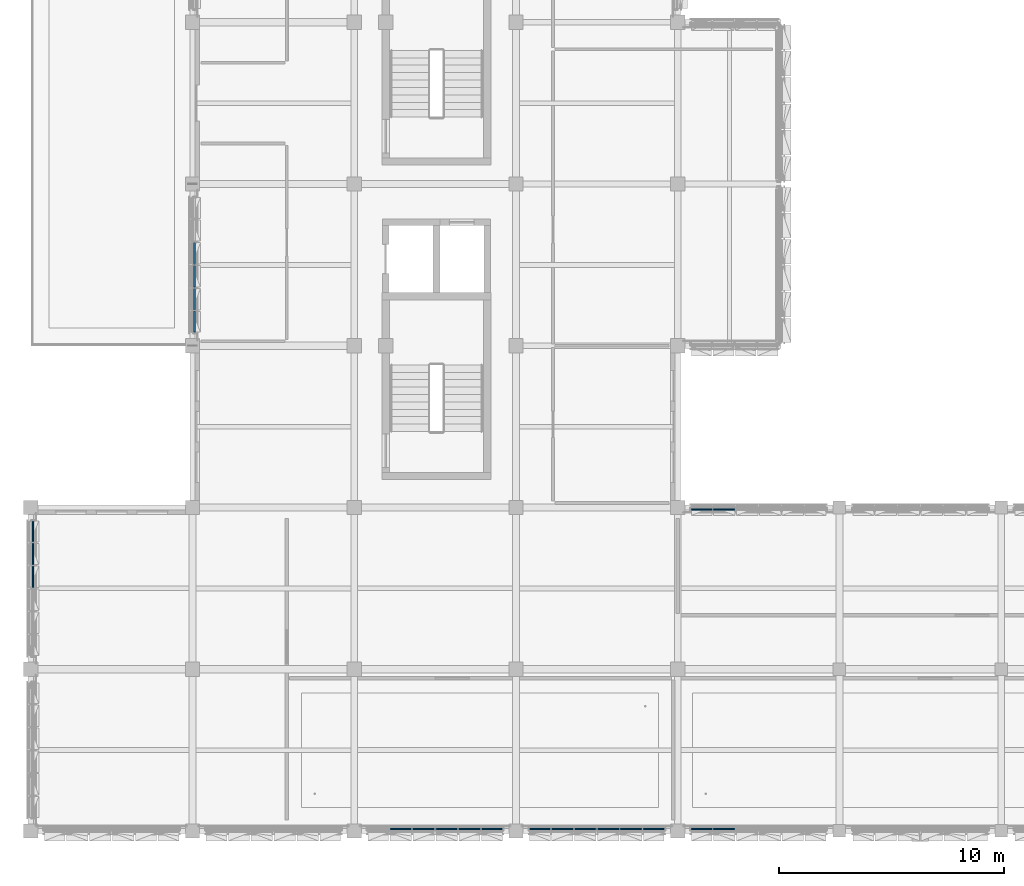
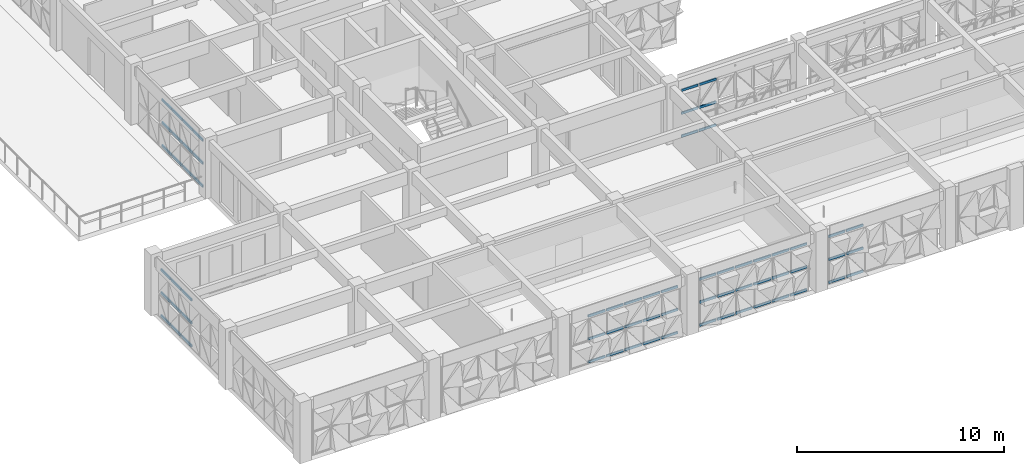
# One storey, part 20 of 85: 66 members, 6 elements without a shape of their own.
"""IFC4 building model written with IfcOpenShell, lengths in metres."""

from ifc_helpers import new_model, si_unit, direction, frame, origin, origin_2d, place, context, subcontext, project, spatial, rectangle, extrude, material, material_profile, profile_set, type_object, element, aggregate, save


model = new_model("IFC4")

# Units and contexts
model_context = context("Model", 3, precision=1e-05, world=origin(), true_north=direction((0.0, 1.0)))
body_context = subcontext(model_context, "Body", "Model", "MODEL_VIEW")
ifc_project = project(units=[si_unit("LENGTHUNIT", "METRE"), si_unit("AREAUNIT", "SQUARE_METRE"), si_unit("VOLUMEUNIT", "CUBIC_METRE"), si_unit("PLANEANGLEUNIT", "RADIAN"), si_unit("MASSUNIT", "GRAM", prefix="KILO")], contexts=[model_context])

# Site, building, storey
site_placement = place(None, origin())
site = spatial("IfcSite", under=ifc_project, at=site_placement, CompositionType="ELEMENT")
building_placement = place(site_placement, origin())
building = spatial("IfcBuilding", under=site, at=building_placement, Name="Alvorim Cloister Faculty of Sciences", CompositionType="ELEMENT")
storey_placement = place(building_placement, frame((0.0, 0.0, 8.550048828125)))
storey = spatial("IfcBuildingStorey", under=building, at=storey_placement, Name="L02", CompositionType="ELEMENT", Elevation=8.550048828125)

# Curtain wall, members
ifc_material_1 = material(Name="Aluminium and Low-E Glass Curtain Wall", Category="aluminium")
curtain_wall_type = type_object("IfcCurtainWallType", Name="CW-TRI-6120x2850", PredefinedType="USERDEFINED", material=ifc_material_1)
curtain_wall_1_placement = place(storey_placement, origin())
curtain_wall_1 = element("IfcCurtainWall", 1, at=curtain_wall_1_placement, inside=storey, type_object=curtain_wall_type, Name="L02 Diagonal Cassette Curtain Wall CW-0051", ObjectType="UNITISED CURTAIN WALL", PredefinedType="USERDEFINED")
ifc_material_2 = material(Name="Aluminium Alloy 6063-T6", Category="aluminium")
ifc_material_profile = material_profile(ifc_material_2, rectangle(XDim=0.06494140625, YDim=0.139892578125, at=origin_2d()), Name="ALU-TRN-65x140")
ifc_profile_set = profile_set([ifc_material_profile], Name="Aluminium Alloy 6063-T6")
member_type = type_object("IfcMemberType", Name="CW-TRN-65x140", PredefinedType="USERDEFINED", material=ifc_profile_set)
member_1_placement = place(storey_placement, frame((7.2900390625, 22.205078125, 0.070068359375), z_axis=(0.0, 1.0, 0.0), x_axis=(-1.0, 0.0, 0.0)))
member_1 = element("IfcMember", 2, at=member_1_placement, type_object=member_type, Name="CW-0051 Transom 1.1", ObjectType="TRANSOM", PredefinedType="USERDEFINED", context=body_context, shape_type="SweptSolid", body=[
    extrude(rectangle(XDim=0.06494140625, YDim=0.139892578125, at=origin_2d()), origin(), (0.0, 0.0, 1.0), 0.92236328125),
])
member_2_placement = place(storey_placement, frame((7.2900390625, 22.205078125, 1.425048828125), z_axis=(0.0, 1.0, 0.0), x_axis=(-1.0, 0.0, 0.0)))
member_2 = element("IfcMember", 3, at=member_2_placement, type_object=member_type, Name="CW-0051 Transom 1.2", ObjectType="TRANSOM", PredefinedType="USERDEFINED", context=body_context, shape_type="SweptSolid", body=[
    extrude(rectangle(XDim=0.06494140625, YDim=0.139892578125, at=origin_2d()), origin(), (0.0, 0.0, 1.0), 0.92236328125),
])
member_3_placement = place(storey_placement, frame((7.2900390625, 22.205078125, 2.780029296875), z_axis=(0.0, 1.0, 0.0), x_axis=(-1.0, 0.0, 0.0)))
member_3 = element("IfcMember", 4, at=member_3_placement, type_object=member_type, Name="CW-0051 Transom 1.3", ObjectType="TRANSOM", PredefinedType="USERDEFINED", context=body_context, shape_type="SweptSolid", body=[
    extrude(rectangle(XDim=0.06494140625, YDim=0.139892578125, at=origin_2d()), origin(), (0.0, 0.0, 1.0), 0.92236328125),
])
member_4_placement = place(storey_placement, frame((7.2900390625, 23.1923828125, 0.070068359375), z_axis=(0.0, 1.0, 0.0), x_axis=(-1.0, 0.0, 0.0)))
member_4 = element("IfcMember", 5, at=member_4_placement, type_object=member_type, Name="CW-0051 Transom 2.1", ObjectType="TRANSOM", PredefinedType="USERDEFINED", context=body_context, shape_type="SweptSolid", body=[
    extrude(rectangle(XDim=0.06494140625, YDim=0.139892578125, at=origin_2d()), origin(), (0.0, 0.0, 1.0), 0.955078125),
])
member_5_placement = place(storey_placement, frame((7.2900390625, 23.1923828125, 1.425048828125), z_axis=(0.0, 1.0, 0.0), x_axis=(-1.0, 0.0, 0.0)))
member_5 = element("IfcMember", 6, at=member_5_placement, type_object=member_type, Name="CW-0051 Transom 2.2", ObjectType="TRANSOM", PredefinedType="USERDEFINED", context=body_context, shape_type="SweptSolid", body=[
    extrude(rectangle(XDim=0.06494140625, YDim=0.139892578125, at=origin_2d()), origin(), (0.0, 0.0, 1.0), 0.955078125),
])
member_6_placement = place(storey_placement, frame((7.2900390625, 23.1923828125, 2.780029296875), z_axis=(0.0, 1.0, 0.0), x_axis=(-1.0, 0.0, 0.0)))
member_6 = element("IfcMember", 7, at=member_6_placement, type_object=member_type, Name="CW-0051 Transom 2.3", ObjectType="TRANSOM", PredefinedType="USERDEFINED", context=body_context, shape_type="SweptSolid", body=[
    extrude(rectangle(XDim=0.06494140625, YDim=0.139892578125, at=origin_2d()), origin(), (0.0, 0.0, 1.0), 0.955078125),
])
member_7_placement = place(storey_placement, frame((7.2900390625, 24.21240234375, 0.070068359375), z_axis=(0.0, 1.0, 0.0), x_axis=(-1.0, 0.0, 0.0)))
member_7 = element("IfcMember", 8, at=member_7_placement, type_object=member_type, Name="CW-0051 Transom 3.1", ObjectType="TRANSOM", PredefinedType="USERDEFINED", context=body_context, shape_type="SweptSolid", body=[
    extrude(rectangle(XDim=0.06494140625, YDim=0.139892578125, at=origin_2d()), origin(), (0.0, 0.0, 1.0), 0.955078125),
])
member_8_placement = place(storey_placement, frame((7.2900390625, 24.21240234375, 1.425048828125), z_axis=(0.0, 1.0, 0.0), x_axis=(-1.0, 0.0, 0.0)))
member_8 = element("IfcMember", 9, at=member_8_placement, type_object=member_type, Name="CW-0051 Transom 3.2", ObjectType="TRANSOM", PredefinedType="USERDEFINED", context=body_context, shape_type="SweptSolid", body=[
    extrude(rectangle(XDim=0.06494140625, YDim=0.139892578125, at=origin_2d()), origin(), (0.0, 0.0, 1.0), 0.955078125),
])
member_9_placement = place(storey_placement, frame((7.2900390625, 24.21240234375, 2.780029296875), z_axis=(0.0, 1.0, 0.0), x_axis=(-1.0, 0.0, 0.0)))
member_9 = element("IfcMember", 10, at=member_9_placement, type_object=member_type, Name="CW-0051 Transom 3.3", ObjectType="TRANSOM", PredefinedType="USERDEFINED", context=body_context, shape_type="SweptSolid", body=[
    extrude(rectangle(XDim=0.06494140625, YDim=0.139892578125, at=origin_2d()), origin(), (0.0, 0.0, 1.0), 0.955078125),
])
member_10_placement = place(storey_placement, frame((7.2900390625, 25.232421875, 0.070068359375), z_axis=(0.0, 1.0, 0.0), x_axis=(-1.0, 0.0, 0.0)))
member_10 = element("IfcMember", 11, at=member_10_placement, type_object=member_type, Name="CW-0051 Transom 4.1", ObjectType="TRANSOM", PredefinedType="USERDEFINED", context=body_context, shape_type="SweptSolid", body=[
    extrude(rectangle(XDim=0.06494140625, YDim=0.139892578125, at=origin_2d()), origin(), (0.0, 0.0, 1.0), 0.955078125),
])
member_11_placement = place(storey_placement, frame((7.2900390625, 25.232421875, 1.425048828125), z_axis=(0.0, 1.0, 0.0), x_axis=(-1.0, 0.0, 0.0)))
member_11 = element("IfcMember", 12, at=member_11_placement, type_object=member_type, Name="CW-0051 Transom 4.2", ObjectType="TRANSOM", PredefinedType="USERDEFINED", context=body_context, shape_type="SweptSolid", body=[
    extrude(rectangle(XDim=0.06494140625, YDim=0.139892578125, at=origin_2d()), origin(), (0.0, 0.0, 1.0), 0.955078125),
])
member_12_placement = place(storey_placement, frame((7.2900390625, 25.232421875, 2.780029296875), z_axis=(0.0, 1.0, 0.0), x_axis=(-1.0, 0.0, 0.0)))
member_12 = element("IfcMember", 13, at=member_12_placement, type_object=member_type, Name="CW-0051 Transom 4.3", ObjectType="TRANSOM", PredefinedType="USERDEFINED", context=body_context, shape_type="SweptSolid", body=[
    extrude(rectangle(XDim=0.06494140625, YDim=0.139892578125, at=origin_2d()), origin(), (0.0, 0.0, 1.0), 0.955078125),
])
aggregate(curtain_wall_1, [member_1, member_2, member_3, member_4, member_5, member_6, member_7, member_8, member_9, member_10, member_11, member_12])

curtain_wall_2_placement = place(storey_placement, origin())
curtain_wall_2 = element("IfcCurtainWall", 14, at=curtain_wall_2_placement, inside=storey, type_object=curtain_wall_type, Name="L02 Diagonal Cassette Curtain Wall CW-0075", ObjectType="UNITISED CURTAIN WALL", PredefinedType="USERDEFINED")
member_13_placement = place(storey_placement, frame((29.405029296875, 14.31005859375, 0.070068359375), z_axis=(1.0, 0.0, 0.0), x_axis=(0.0, 1.0, 0.0)))
member_13 = element("IfcMember", 15, at=member_13_placement, type_object=member_type, Name="CW-0075 Transom 1.1", ObjectType="TRANSOM", PredefinedType="USERDEFINED", context=body_context, shape_type="SweptSolid", body=[
    extrude(rectangle(XDim=0.06494140625, YDim=0.139892578125, at=origin_2d()), origin(), (0.0, 0.0, 1.0), 0.92236328125),
])
member_14_placement = place(storey_placement, frame((29.405029296875, 14.31005859375, 1.425048828125), z_axis=(1.0, 0.0, 0.0), x_axis=(0.0, 1.0, 0.0)))
member_14 = element("IfcMember", 16, at=member_14_placement, type_object=member_type, Name="CW-0075 Transom 1.2", ObjectType="TRANSOM", PredefinedType="USERDEFINED", context=body_context, shape_type="SweptSolid", body=[
    extrude(rectangle(XDim=0.06494140625, YDim=0.139892578125, at=origin_2d()), origin(), (0.0, 0.0, 1.0), 0.92236328125),
])
member_15_placement = place(storey_placement, frame((29.405029296875, 14.31005859375, 2.780029296875), z_axis=(1.0, 0.0, 0.0), x_axis=(0.0, 1.0, 0.0)))
member_15 = element("IfcMember", 17, at=member_15_placement, type_object=member_type, Name="CW-0075 Transom 1.3", ObjectType="TRANSOM", PredefinedType="USERDEFINED", context=body_context, shape_type="SweptSolid", body=[
    extrude(rectangle(XDim=0.06494140625, YDim=0.139892578125, at=origin_2d()), origin(), (0.0, 0.0, 1.0), 0.92236328125),
])
member_16_placement = place(storey_placement, frame((30.392578125, 14.31005859375, 0.070068359375), z_axis=(1.0, 0.0, 0.0), x_axis=(0.0, 1.0, 0.0)))
member_16 = element("IfcMember", 18, at=member_16_placement, type_object=member_type, Name="CW-0075 Transom 2.1", ObjectType="TRANSOM", PredefinedType="USERDEFINED", context=body_context, shape_type="SweptSolid", body=[
    extrude(rectangle(XDim=0.06494140625, YDim=0.139892578125, at=origin_2d()), origin(), (0.0, 0.0, 1.0), 0.954833984375),
])
member_17_placement = place(storey_placement, frame((30.392578125, 14.31005859375, 1.425048828125), z_axis=(1.0, 0.0, 0.0), x_axis=(0.0, 1.0, 0.0)))
member_17 = element("IfcMember", 19, at=member_17_placement, type_object=member_type, Name="CW-0075 Transom 2.2", ObjectType="TRANSOM", PredefinedType="USERDEFINED", context=body_context, shape_type="SweptSolid", body=[
    extrude(rectangle(XDim=0.06494140625, YDim=0.139892578125, at=origin_2d()), origin(), (0.0, 0.0, 1.0), 0.954833984375),
])
member_18_placement = place(storey_placement, frame((30.392578125, 14.31005859375, 2.780029296875), z_axis=(1.0, 0.0, 0.0), x_axis=(0.0, 1.0, 0.0)))
member_18 = element("IfcMember", 20, at=member_18_placement, type_object=member_type, Name="CW-0075 Transom 2.3", ObjectType="TRANSOM", PredefinedType="USERDEFINED", context=body_context, shape_type="SweptSolid", body=[
    extrude(rectangle(XDim=0.06494140625, YDim=0.139892578125, at=origin_2d()), origin(), (0.0, 0.0, 1.0), 0.954833984375),
])
aggregate(curtain_wall_2, [member_13, member_14, member_15, member_16, member_17, member_18])

curtain_wall_3_placement = place(storey_placement, origin())
curtain_wall_3 = element("IfcCurtainWall", 21, at=curtain_wall_3_placement, inside=storey, type_object=curtain_wall_type, Name="L02 Diagonal Cassette Curtain Wall CW-0083", ObjectType="UNITISED CURTAIN WALL", PredefinedType="USERDEFINED")
member_19_placement = place(storey_placement, frame((29.405029296875, 0.090087890625, 0.070068359375), z_axis=(1.0, 0.0, 0.0), x_axis=(0.0, 1.0, 0.0)))
member_19 = element("IfcMember", 22, at=member_19_placement, type_object=member_type, Name="CW-0083 Transom 1.1", ObjectType="TRANSOM", PredefinedType="USERDEFINED", context=body_context, shape_type="SweptSolid", body=[
    extrude(rectangle(XDim=0.06494140625, YDim=0.139892578125, at=origin_2d()), origin(), (0.0, 0.0, 1.0), 0.92236328125),
])
member_20_placement = place(storey_placement, frame((29.405029296875, 0.090087890625, 1.425048828125), z_axis=(1.0, 0.0, 0.0), x_axis=(0.0, 1.0, 0.0)))
member_20 = element("IfcMember", 23, at=member_20_placement, type_object=member_type, Name="CW-0083 Transom 1.2", ObjectType="TRANSOM", PredefinedType="USERDEFINED", context=body_context, shape_type="SweptSolid", body=[
    extrude(rectangle(XDim=0.06494140625, YDim=0.139892578125, at=origin_2d()), origin(), (0.0, 0.0, 1.0), 0.92236328125),
])
member_21_placement = place(storey_placement, frame((29.405029296875, 0.090087890625, 2.780029296875), z_axis=(1.0, 0.0, 0.0), x_axis=(0.0, 1.0, 0.0)))
member_21 = element("IfcMember", 24, at=member_21_placement, type_object=member_type, Name="CW-0083 Transom 1.3", ObjectType="TRANSOM", PredefinedType="USERDEFINED", context=body_context, shape_type="SweptSolid", body=[
    extrude(rectangle(XDim=0.06494140625, YDim=0.139892578125, at=origin_2d()), origin(), (0.0, 0.0, 1.0), 0.92236328125),
])
member_22_placement = place(storey_placement, frame((30.392578125, 0.090087890625, 0.070068359375), z_axis=(1.0, 0.0, 0.0), x_axis=(0.0, 1.0, 0.0)))
member_22 = element("IfcMember", 25, at=member_22_placement, type_object=member_type, Name="CW-0083 Transom 2.1", ObjectType="TRANSOM", PredefinedType="USERDEFINED", context=body_context, shape_type="SweptSolid", body=[
    extrude(rectangle(XDim=0.06494140625, YDim=0.139892578125, at=origin_2d()), origin(), (0.0, 0.0, 1.0), 0.954833984375),
])
member_23_placement = place(storey_placement, frame((30.392578125, 0.090087890625, 1.425048828125), z_axis=(1.0, 0.0, 0.0), x_axis=(0.0, 1.0, 0.0)))
member_23 = element("IfcMember", 26, at=member_23_placement, type_object=member_type, Name="CW-0083 Transom 2.2", ObjectType="TRANSOM", PredefinedType="USERDEFINED", context=body_context, shape_type="SweptSolid", body=[
    extrude(rectangle(XDim=0.06494140625, YDim=0.139892578125, at=origin_2d()), origin(), (0.0, 0.0, 1.0), 0.954833984375),
])
member_24_placement = place(storey_placement, frame((30.392578125, 0.090087890625, 2.780029296875), z_axis=(1.0, 0.0, 0.0), x_axis=(0.0, 1.0, 0.0)))
member_24 = element("IfcMember", 27, at=member_24_placement, type_object=member_type, Name="CW-0083 Transom 2.3", ObjectType="TRANSOM", PredefinedType="USERDEFINED", context=body_context, shape_type="SweptSolid", body=[
    extrude(rectangle(XDim=0.06494140625, YDim=0.139892578125, at=origin_2d()), origin(), (0.0, 0.0, 1.0), 0.954833984375),
])
aggregate(curtain_wall_3, [member_19, member_20, member_21, member_22, member_23, member_24])

curtain_wall_4_placement = place(storey_placement, origin())
curtain_wall_4 = element("IfcCurtainWall", 28, at=curtain_wall_4_placement, inside=storey, type_object=curtain_wall_type, Name="L02 Diagonal Cassette Curtain Wall CW-0084", ObjectType="UNITISED CURTAIN WALL", PredefinedType="USERDEFINED")
member_25_placement = place(storey_placement, frame((22.205078125, 0.090087890625, 0.070068359375), z_axis=(1.0, 0.0, 0.0), x_axis=(0.0, 1.0, 0.0)))
member_25 = element("IfcMember", 29, at=member_25_placement, type_object=member_type, Name="CW-0084 Transom 1.1", ObjectType="TRANSOM", PredefinedType="USERDEFINED", context=body_context, shape_type="SweptSolid", body=[
    extrude(rectangle(XDim=0.06494140625, YDim=0.139892578125, at=origin_2d()), origin(), (0.0, 0.0, 1.0), 0.92236328125),
])
member_26_placement = place(storey_placement, frame((22.205078125, 0.090087890625, 1.425048828125), z_axis=(1.0, 0.0, 0.0), x_axis=(0.0, 1.0, 0.0)))
member_26 = element("IfcMember", 30, at=member_26_placement, type_object=member_type, Name="CW-0084 Transom 1.2", ObjectType="TRANSOM", PredefinedType="USERDEFINED", context=body_context, shape_type="SweptSolid", body=[
    extrude(rectangle(XDim=0.06494140625, YDim=0.139892578125, at=origin_2d()), origin(), (0.0, 0.0, 1.0), 0.92236328125),
])
member_27_placement = place(storey_placement, frame((22.205078125, 0.090087890625, 2.780029296875), z_axis=(1.0, 0.0, 0.0), x_axis=(0.0, 1.0, 0.0)))
member_27 = element("IfcMember", 31, at=member_27_placement, type_object=member_type, Name="CW-0084 Transom 1.3", ObjectType="TRANSOM", PredefinedType="USERDEFINED", context=body_context, shape_type="SweptSolid", body=[
    extrude(rectangle(XDim=0.06494140625, YDim=0.139892578125, at=origin_2d()), origin(), (0.0, 0.0, 1.0), 0.92236328125),
])
member_28_placement = place(storey_placement, frame((23.1923828125, 0.090087890625, 0.070068359375), z_axis=(1.0, 0.0, 0.0), x_axis=(0.0, 1.0, 0.0)))
member_28 = element("IfcMember", 32, at=member_28_placement, type_object=member_type, Name="CW-0084 Transom 2.1", ObjectType="TRANSOM", PredefinedType="USERDEFINED", context=body_context, shape_type="SweptSolid", body=[
    extrude(rectangle(XDim=0.06494140625, YDim=0.139892578125, at=origin_2d()), origin(), (0.0, 0.0, 1.0), 0.955078125),
])
member_29_placement = place(storey_placement, frame((23.1923828125, 0.090087890625, 1.425048828125), z_axis=(1.0, 0.0, 0.0), x_axis=(0.0, 1.0, 0.0)))
member_29 = element("IfcMember", 33, at=member_29_placement, type_object=member_type, Name="CW-0084 Transom 2.2", ObjectType="TRANSOM", PredefinedType="USERDEFINED", context=body_context, shape_type="SweptSolid", body=[
    extrude(rectangle(XDim=0.06494140625, YDim=0.139892578125, at=origin_2d()), origin(), (0.0, 0.0, 1.0), 0.955078125),
])
member_30_placement = place(storey_placement, frame((23.1923828125, 0.090087890625, 2.780029296875), z_axis=(1.0, 0.0, 0.0), x_axis=(0.0, 1.0, 0.0)))
member_30 = element("IfcMember", 34, at=member_30_placement, type_object=member_type, Name="CW-0084 Transom 2.3", ObjectType="TRANSOM", PredefinedType="USERDEFINED", context=body_context, shape_type="SweptSolid", body=[
    extrude(rectangle(XDim=0.06494140625, YDim=0.139892578125, at=origin_2d()), origin(), (0.0, 0.0, 1.0), 0.955078125),
])
member_31_placement = place(storey_placement, frame((24.21240234375, 0.090087890625, 0.070068359375), z_axis=(1.0, 0.0, 0.0), x_axis=(0.0, 1.0, 0.0)))
member_31 = element("IfcMember", 35, at=member_31_placement, type_object=member_type, Name="CW-0084 Transom 3.1", ObjectType="TRANSOM", PredefinedType="USERDEFINED", context=body_context, shape_type="SweptSolid", body=[
    extrude(rectangle(XDim=0.06494140625, YDim=0.139892578125, at=origin_2d()), origin(), (0.0, 0.0, 1.0), 0.955078125),
])
member_32_placement = place(storey_placement, frame((24.21240234375, 0.090087890625, 1.425048828125), z_axis=(1.0, 0.0, 0.0), x_axis=(0.0, 1.0, 0.0)))
member_32 = element("IfcMember", 36, at=member_32_placement, type_object=member_type, Name="CW-0084 Transom 3.2", ObjectType="TRANSOM", PredefinedType="USERDEFINED", context=body_context, shape_type="SweptSolid", body=[
    extrude(rectangle(XDim=0.06494140625, YDim=0.139892578125, at=origin_2d()), origin(), (0.0, 0.0, 1.0), 0.955078125),
])
member_33_placement = place(storey_placement, frame((24.21240234375, 0.090087890625, 2.780029296875), z_axis=(1.0, 0.0, 0.0), x_axis=(0.0, 1.0, 0.0)))
member_33 = element("IfcMember", 37, at=member_33_placement, type_object=member_type, Name="CW-0084 Transom 3.3", ObjectType="TRANSOM", PredefinedType="USERDEFINED", context=body_context, shape_type="SweptSolid", body=[
    extrude(rectangle(XDim=0.06494140625, YDim=0.139892578125, at=origin_2d()), origin(), (0.0, 0.0, 1.0), 0.955078125),
])
member_34_placement = place(storey_placement, frame((25.232421875, 0.090087890625, 0.070068359375), z_axis=(1.0, 0.0, 0.0), x_axis=(0.0, 1.0, 0.0)))
member_34 = element("IfcMember", 38, at=member_34_placement, type_object=member_type, Name="CW-0084 Transom 4.1", ObjectType="TRANSOM", PredefinedType="USERDEFINED", context=body_context, shape_type="SweptSolid", body=[
    extrude(rectangle(XDim=0.06494140625, YDim=0.139892578125, at=origin_2d()), origin(), (0.0, 0.0, 1.0), 0.955078125),
])
member_35_placement = place(storey_placement, frame((25.232421875, 0.090087890625, 1.425048828125), z_axis=(1.0, 0.0, 0.0), x_axis=(0.0, 1.0, 0.0)))
member_35 = element("IfcMember", 39, at=member_35_placement, type_object=member_type, Name="CW-0084 Transom 4.2", ObjectType="TRANSOM", PredefinedType="USERDEFINED", context=body_context, shape_type="SweptSolid", body=[
    extrude(rectangle(XDim=0.06494140625, YDim=0.139892578125, at=origin_2d()), origin(), (0.0, 0.0, 1.0), 0.955078125),
])
member_36_placement = place(storey_placement, frame((25.232421875, 0.090087890625, 2.780029296875), z_axis=(1.0, 0.0, 0.0), x_axis=(0.0, 1.0, 0.0)))
member_36 = element("IfcMember", 40, at=member_36_placement, type_object=member_type, Name="CW-0084 Transom 4.3", ObjectType="TRANSOM", PredefinedType="USERDEFINED", context=body_context, shape_type="SweptSolid", body=[
    extrude(rectangle(XDim=0.06494140625, YDim=0.139892578125, at=origin_2d()), origin(), (0.0, 0.0, 1.0), 0.955078125),
])
member_37_placement = place(storey_placement, frame((26.25244140625, 0.090087890625, 0.070068359375), z_axis=(1.0, 0.0, 0.0), x_axis=(0.0, 1.0, 0.0)))
member_37 = element("IfcMember", 41, at=member_37_placement, type_object=member_type, Name="CW-0084 Transom 5.1", ObjectType="TRANSOM", PredefinedType="USERDEFINED", context=body_context, shape_type="SweptSolid", body=[
    extrude(rectangle(XDim=0.06494140625, YDim=0.139892578125, at=origin_2d()), origin(), (0.0, 0.0, 1.0), 0.955078125),
])
member_38_placement = place(storey_placement, frame((26.25244140625, 0.090087890625, 1.425048828125), z_axis=(1.0, 0.0, 0.0), x_axis=(0.0, 1.0, 0.0)))
member_38 = element("IfcMember", 42, at=member_38_placement, type_object=member_type, Name="CW-0084 Transom 5.2", ObjectType="TRANSOM", PredefinedType="USERDEFINED", context=body_context, shape_type="SweptSolid", body=[
    extrude(rectangle(XDim=0.06494140625, YDim=0.139892578125, at=origin_2d()), origin(), (0.0, 0.0, 1.0), 0.955078125),
])
member_39_placement = place(storey_placement, frame((26.25244140625, 0.090087890625, 2.780029296875), z_axis=(1.0, 0.0, 0.0), x_axis=(0.0, 1.0, 0.0)))
member_39 = element("IfcMember", 43, at=member_39_placement, type_object=member_type, Name="CW-0084 Transom 5.3", ObjectType="TRANSOM", PredefinedType="USERDEFINED", context=body_context, shape_type="SweptSolid", body=[
    extrude(rectangle(XDim=0.06494140625, YDim=0.139892578125, at=origin_2d()), origin(), (0.0, 0.0, 1.0), 0.955078125),
])
member_40_placement = place(storey_placement, frame((27.2724609375, 0.090087890625, 0.070068359375), z_axis=(1.0, 0.0, 0.0), x_axis=(0.0, 1.0, 0.0)))
member_40 = element("IfcMember", 44, at=member_40_placement, type_object=member_type, Name="CW-0084 Transom 6.1", ObjectType="TRANSOM", PredefinedType="USERDEFINED", context=body_context, shape_type="SweptSolid", body=[
    extrude(rectangle(XDim=0.06494140625, YDim=0.139892578125, at=origin_2d()), origin(), (0.0, 0.0, 1.0), 0.922607421875),
])
member_41_placement = place(storey_placement, frame((27.2724609375, 0.090087890625, 1.425048828125), z_axis=(1.0, 0.0, 0.0), x_axis=(0.0, 1.0, 0.0)))
member_41 = element("IfcMember", 45, at=member_41_placement, type_object=member_type, Name="CW-0084 Transom 6.2", ObjectType="TRANSOM", PredefinedType="USERDEFINED", context=body_context, shape_type="SweptSolid", body=[
    extrude(rectangle(XDim=0.06494140625, YDim=0.139892578125, at=origin_2d()), origin(), (0.0, 0.0, 1.0), 0.922607421875),
])
member_42_placement = place(storey_placement, frame((27.2724609375, 0.090087890625, 2.780029296875), z_axis=(1.0, 0.0, 0.0), x_axis=(0.0, 1.0, 0.0)))
member_42 = element("IfcMember", 46, at=member_42_placement, type_object=member_type, Name="CW-0084 Transom 6.3", ObjectType="TRANSOM", PredefinedType="USERDEFINED", context=body_context, shape_type="SweptSolid", body=[
    extrude(rectangle(XDim=0.06494140625, YDim=0.139892578125, at=origin_2d()), origin(), (0.0, 0.0, 1.0), 0.922607421875),
])
aggregate(curtain_wall_4, [member_25, member_26, member_27, member_28, member_29, member_30, member_31, member_32, member_33, member_34, member_35, member_36, member_37, member_38, member_39, member_40, member_41, member_42])

curtain_wall_5_placement = place(storey_placement, origin())
curtain_wall_5 = element("IfcCurtainWall", 47, at=curtain_wall_5_placement, inside=storey, type_object=curtain_wall_type, Name="L02 Diagonal Cassette Curtain Wall CW-0085", ObjectType="UNITISED CURTAIN WALL", PredefinedType="USERDEFINED")
member_43_placement = place(storey_placement, frame((15.992431640625, 0.090087890625, 0.070068359375), z_axis=(1.0, 0.0, 0.0), x_axis=(0.0, 1.0, 0.0)))
member_43 = element("IfcMember", 48, at=member_43_placement, type_object=member_type, Name="CW-0085 Transom 2.1", ObjectType="TRANSOM", PredefinedType="USERDEFINED", context=body_context, shape_type="SweptSolid", body=[
    extrude(rectangle(XDim=0.06494140625, YDim=0.139892578125, at=origin_2d()), origin(), (0.0, 0.0, 1.0), 0.955078125),
])
member_44_placement = place(storey_placement, frame((15.992431640625, 0.090087890625, 1.425048828125), z_axis=(1.0, 0.0, 0.0), x_axis=(0.0, 1.0, 0.0)))
member_44 = element("IfcMember", 49, at=member_44_placement, type_object=member_type, Name="CW-0085 Transom 2.2", ObjectType="TRANSOM", PredefinedType="USERDEFINED", context=body_context, shape_type="SweptSolid", body=[
    extrude(rectangle(XDim=0.06494140625, YDim=0.139892578125, at=origin_2d()), origin(), (0.0, 0.0, 1.0), 0.955078125),
])
member_45_placement = place(storey_placement, frame((15.992431640625, 0.090087890625, 2.780029296875), z_axis=(1.0, 0.0, 0.0), x_axis=(0.0, 1.0, 0.0)))
member_45 = element("IfcMember", 50, at=member_45_placement, type_object=member_type, Name="CW-0085 Transom 2.3", ObjectType="TRANSOM", PredefinedType="USERDEFINED", context=body_context, shape_type="SweptSolid", body=[
    extrude(rectangle(XDim=0.06494140625, YDim=0.139892578125, at=origin_2d()), origin(), (0.0, 0.0, 1.0), 0.955078125),
])
member_46_placement = place(storey_placement, frame((17.012451171875, 0.090087890625, 0.070068359375), z_axis=(1.0, 0.0, 0.0), x_axis=(0.0, 1.0, 0.0)))
member_46 = element("IfcMember", 51, at=member_46_placement, type_object=member_type, Name="CW-0085 Transom 3.1", ObjectType="TRANSOM", PredefinedType="USERDEFINED", context=body_context, shape_type="SweptSolid", body=[
    extrude(rectangle(XDim=0.06494140625, YDim=0.139892578125, at=origin_2d()), origin(), (0.0, 0.0, 1.0), 0.955078125),
])
member_47_placement = place(storey_placement, frame((17.012451171875, 0.090087890625, 1.425048828125), z_axis=(1.0, 0.0, 0.0), x_axis=(0.0, 1.0, 0.0)))
member_47 = element("IfcMember", 52, at=member_47_placement, type_object=member_type, Name="CW-0085 Transom 3.2", ObjectType="TRANSOM", PredefinedType="USERDEFINED", context=body_context, shape_type="SweptSolid", body=[
    extrude(rectangle(XDim=0.06494140625, YDim=0.139892578125, at=origin_2d()), origin(), (0.0, 0.0, 1.0), 0.955078125),
])
member_48_placement = place(storey_placement, frame((17.012451171875, 0.090087890625, 2.780029296875), z_axis=(1.0, 0.0, 0.0), x_axis=(0.0, 1.0, 0.0)))
member_48 = element("IfcMember", 53, at=member_48_placement, type_object=member_type, Name="CW-0085 Transom 3.3", ObjectType="TRANSOM", PredefinedType="USERDEFINED", context=body_context, shape_type="SweptSolid", body=[
    extrude(rectangle(XDim=0.06494140625, YDim=0.139892578125, at=origin_2d()), origin(), (0.0, 0.0, 1.0), 0.955078125),
])
member_49_placement = place(storey_placement, frame((18.032470703125, 0.090087890625, 0.070068359375), z_axis=(1.0, 0.0, 0.0), x_axis=(0.0, 1.0, 0.0)))
member_49 = element("IfcMember", 54, at=member_49_placement, type_object=member_type, Name="CW-0085 Transom 4.1", ObjectType="TRANSOM", PredefinedType="USERDEFINED", context=body_context, shape_type="SweptSolid", body=[
    extrude(rectangle(XDim=0.06494140625, YDim=0.139892578125, at=origin_2d()), origin(), (0.0, 0.0, 1.0), 0.955078125),
])
member_50_placement = place(storey_placement, frame((18.032470703125, 0.090087890625, 1.425048828125), z_axis=(1.0, 0.0, 0.0), x_axis=(0.0, 1.0, 0.0)))
member_50 = element("IfcMember", 55, at=member_50_placement, type_object=member_type, Name="CW-0085 Transom 4.2", ObjectType="TRANSOM", PredefinedType="USERDEFINED", context=body_context, shape_type="SweptSolid", body=[
    extrude(rectangle(XDim=0.06494140625, YDim=0.139892578125, at=origin_2d()), origin(), (0.0, 0.0, 1.0), 0.955078125),
])
member_51_placement = place(storey_placement, frame((18.032470703125, 0.090087890625, 2.780029296875), z_axis=(1.0, 0.0, 0.0), x_axis=(0.0, 1.0, 0.0)))
member_51 = element("IfcMember", 56, at=member_51_placement, type_object=member_type, Name="CW-0085 Transom 4.3", ObjectType="TRANSOM", PredefinedType="USERDEFINED", context=body_context, shape_type="SweptSolid", body=[
    extrude(rectangle(XDim=0.06494140625, YDim=0.139892578125, at=origin_2d()), origin(), (0.0, 0.0, 1.0), 0.955078125),
])
member_52_placement = place(storey_placement, frame((19.052490234375, 0.090087890625, 0.070068359375), z_axis=(1.0, 0.0, 0.0), x_axis=(0.0, 1.0, 0.0)))
member_52 = element("IfcMember", 57, at=member_52_placement, type_object=member_type, Name="CW-0085 Transom 5.1", ObjectType="TRANSOM", PredefinedType="USERDEFINED", context=body_context, shape_type="SweptSolid", body=[
    extrude(rectangle(XDim=0.06494140625, YDim=0.139892578125, at=origin_2d()), origin(), (0.0, 0.0, 1.0), 0.955078125),
])
member_53_placement = place(storey_placement, frame((19.052490234375, 0.090087890625, 1.425048828125), z_axis=(1.0, 0.0, 0.0), x_axis=(0.0, 1.0, 0.0)))
member_53 = element("IfcMember", 58, at=member_53_placement, type_object=member_type, Name="CW-0085 Transom 5.2", ObjectType="TRANSOM", PredefinedType="USERDEFINED", context=body_context, shape_type="SweptSolid", body=[
    extrude(rectangle(XDim=0.06494140625, YDim=0.139892578125, at=origin_2d()), origin(), (0.0, 0.0, 1.0), 0.955078125),
])
member_54_placement = place(storey_placement, frame((19.052490234375, 0.090087890625, 2.780029296875), z_axis=(1.0, 0.0, 0.0), x_axis=(0.0, 1.0, 0.0)))
member_54 = element("IfcMember", 59, at=member_54_placement, type_object=member_type, Name="CW-0085 Transom 5.3", ObjectType="TRANSOM", PredefinedType="USERDEFINED", context=body_context, shape_type="SweptSolid", body=[
    extrude(rectangle(XDim=0.06494140625, YDim=0.139892578125, at=origin_2d()), origin(), (0.0, 0.0, 1.0), 0.955078125),
])
member_55_placement = place(storey_placement, frame((20.072509765625, 0.090087890625, 0.070068359375), z_axis=(1.0, 0.0, 0.0), x_axis=(0.0, 1.0, 0.0)))
member_55 = element("IfcMember", 60, at=member_55_placement, type_object=member_type, Name="CW-0085 Transom 6.1", ObjectType="TRANSOM", PredefinedType="USERDEFINED", context=body_context, shape_type="SweptSolid", body=[
    extrude(rectangle(XDim=0.06494140625, YDim=0.139892578125, at=origin_2d()), origin(), (0.0, 0.0, 1.0), 0.922607421875),
])
member_56_placement = place(storey_placement, frame((20.072509765625, 0.090087890625, 1.425048828125), z_axis=(1.0, 0.0, 0.0), x_axis=(0.0, 1.0, 0.0)))
member_56 = element("IfcMember", 61, at=member_56_placement, type_object=member_type, Name="CW-0085 Transom 6.2", ObjectType="TRANSOM", PredefinedType="USERDEFINED", context=body_context, shape_type="SweptSolid", body=[
    extrude(rectangle(XDim=0.06494140625, YDim=0.139892578125, at=origin_2d()), origin(), (0.0, 0.0, 1.0), 0.922607421875),
])
member_57_placement = place(storey_placement, frame((20.072509765625, 0.090087890625, 2.780029296875), z_axis=(1.0, 0.0, 0.0), x_axis=(0.0, 1.0, 0.0)))
member_57 = element("IfcMember", 62, at=member_57_placement, type_object=member_type, Name="CW-0085 Transom 6.3", ObjectType="TRANSOM", PredefinedType="USERDEFINED", context=body_context, shape_type="SweptSolid", body=[
    extrude(rectangle(XDim=0.06494140625, YDim=0.139892578125, at=origin_2d()), origin(), (0.0, 0.0, 1.0), 0.922607421875),
])
aggregate(curtain_wall_5, [member_43, member_44, member_45, member_46, member_47, member_48, member_49, member_50, member_51, member_52, member_53, member_54, member_55, member_56, member_57])

curtain_wall_6_placement = place(storey_placement, origin())
curtain_wall_6 = element("IfcCurtainWall", 63, at=curtain_wall_6_placement, inside=storey, type_object=curtain_wall_type, Name="L02 Diagonal Cassette Curtain Wall CW-0089", ObjectType="UNITISED CURTAIN WALL", PredefinedType="USERDEFINED")
member_58_placement = place(storey_placement, frame((0.090087890625, 10.83251953125, 0.070068359375), z_axis=(0.0, 1.0, 0.0), x_axis=(-1.0, 0.0, 0.0)))
member_58 = element("IfcMember", 64, at=member_58_placement, type_object=member_type, Name="CW-0089 Transom 4.1", ObjectType="TRANSOM", PredefinedType="USERDEFINED", context=body_context, shape_type="SweptSolid", body=[
    extrude(rectangle(XDim=0.06494140625, YDim=0.139892578125, at=origin_2d()), origin(), (0.0, 0.0, 1.0), 0.955078125),
])
member_59_placement = place(storey_placement, frame((0.090087890625, 10.83251953125, 1.425048828125), z_axis=(0.0, 1.0, 0.0), x_axis=(-1.0, 0.0, 0.0)))
member_59 = element("IfcMember", 65, at=member_59_placement, type_object=member_type, Name="CW-0089 Transom 4.2", ObjectType="TRANSOM", PredefinedType="USERDEFINED", context=body_context, shape_type="SweptSolid", body=[
    extrude(rectangle(XDim=0.06494140625, YDim=0.139892578125, at=origin_2d()), origin(), (0.0, 0.0, 1.0), 0.955078125),
])
member_60_placement = place(storey_placement, frame((0.090087890625, 10.83251953125, 2.780029296875), z_axis=(0.0, 1.0, 0.0), x_axis=(-1.0, 0.0, 0.0)))
member_60 = element("IfcMember", 66, at=member_60_placement, type_object=member_type, Name="CW-0089 Transom 4.3", ObjectType="TRANSOM", PredefinedType="USERDEFINED", context=body_context, shape_type="SweptSolid", body=[
    extrude(rectangle(XDim=0.06494140625, YDim=0.139892578125, at=origin_2d()), origin(), (0.0, 0.0, 1.0), 0.955078125),
])
member_61_placement = place(storey_placement, frame((0.090087890625, 11.8525390625, 0.070068359375), z_axis=(0.0, 1.0, 0.0), x_axis=(-1.0, 0.0, 0.0)))
member_61 = element("IfcMember", 67, at=member_61_placement, type_object=member_type, Name="CW-0089 Transom 5.1", ObjectType="TRANSOM", PredefinedType="USERDEFINED", context=body_context, shape_type="SweptSolid", body=[
    extrude(rectangle(XDim=0.06494140625, YDim=0.139892578125, at=origin_2d()), origin(), (0.0, 0.0, 1.0), 0.955078125),
])
member_62_placement = place(storey_placement, frame((0.090087890625, 11.8525390625, 1.425048828125), z_axis=(0.0, 1.0, 0.0), x_axis=(-1.0, 0.0, 0.0)))
member_62 = element("IfcMember", 68, at=member_62_placement, type_object=member_type, Name="CW-0089 Transom 5.2", ObjectType="TRANSOM", PredefinedType="USERDEFINED", context=body_context, shape_type="SweptSolid", body=[
    extrude(rectangle(XDim=0.06494140625, YDim=0.139892578125, at=origin_2d()), origin(), (0.0, 0.0, 1.0), 0.955078125),
])
member_63_placement = place(storey_placement, frame((0.090087890625, 11.8525390625, 2.780029296875), z_axis=(0.0, 1.0, 0.0), x_axis=(-1.0, 0.0, 0.0)))
member_63 = element("IfcMember", 69, at=member_63_placement, type_object=member_type, Name="CW-0089 Transom 5.3", ObjectType="TRANSOM", PredefinedType="USERDEFINED", context=body_context, shape_type="SweptSolid", body=[
    extrude(rectangle(XDim=0.06494140625, YDim=0.139892578125, at=origin_2d()), origin(), (0.0, 0.0, 1.0), 0.955078125),
])
member_64_placement = place(storey_placement, frame((0.090087890625, 12.87255859375, 0.070068359375), z_axis=(0.0, 1.0, 0.0), x_axis=(-1.0, 0.0, 0.0)))
member_64 = element("IfcMember", 70, at=member_64_placement, type_object=member_type, Name="CW-0089 Transom 6.1", ObjectType="TRANSOM", PredefinedType="USERDEFINED", context=body_context, shape_type="SweptSolid", body=[
    extrude(rectangle(XDim=0.06494140625, YDim=0.139892578125, at=origin_2d()), origin(), (0.0, 0.0, 1.0), 0.92236328125),
])
member_65_placement = place(storey_placement, frame((0.090087890625, 12.87255859375, 1.425048828125), z_axis=(0.0, 1.0, 0.0), x_axis=(-1.0, 0.0, 0.0)))
member_65 = element("IfcMember", 71, at=member_65_placement, type_object=member_type, Name="CW-0089 Transom 6.2", ObjectType="TRANSOM", PredefinedType="USERDEFINED", context=body_context, shape_type="SweptSolid", body=[
    extrude(rectangle(XDim=0.06494140625, YDim=0.139892578125, at=origin_2d()), origin(), (0.0, 0.0, 1.0), 0.92236328125),
])
member_66_placement = place(storey_placement, frame((0.090087890625, 12.87255859375, 2.780029296875), z_axis=(0.0, 1.0, 0.0), x_axis=(-1.0, 0.0, 0.0)))
member_66 = element("IfcMember", 72, at=member_66_placement, type_object=member_type, Name="CW-0089 Transom 6.3", ObjectType="TRANSOM", PredefinedType="USERDEFINED", context=body_context, shape_type="SweptSolid", body=[
    extrude(rectangle(XDim=0.06494140625, YDim=0.139892578125, at=origin_2d()), origin(), (0.0, 0.0, 1.0), 0.92236328125),
])
aggregate(curtain_wall_6, [member_58, member_59, member_60, member_61, member_62, member_63, member_64, member_65, member_66])

save(model, "model.ifc")
